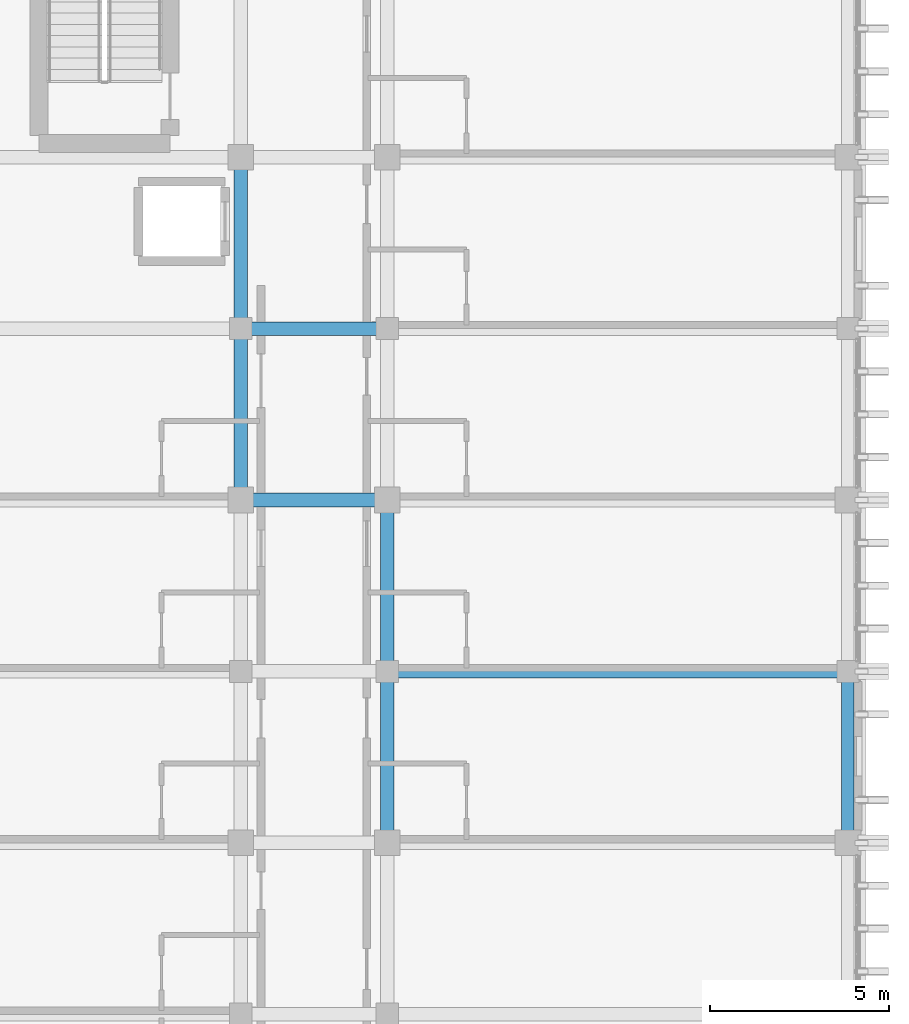
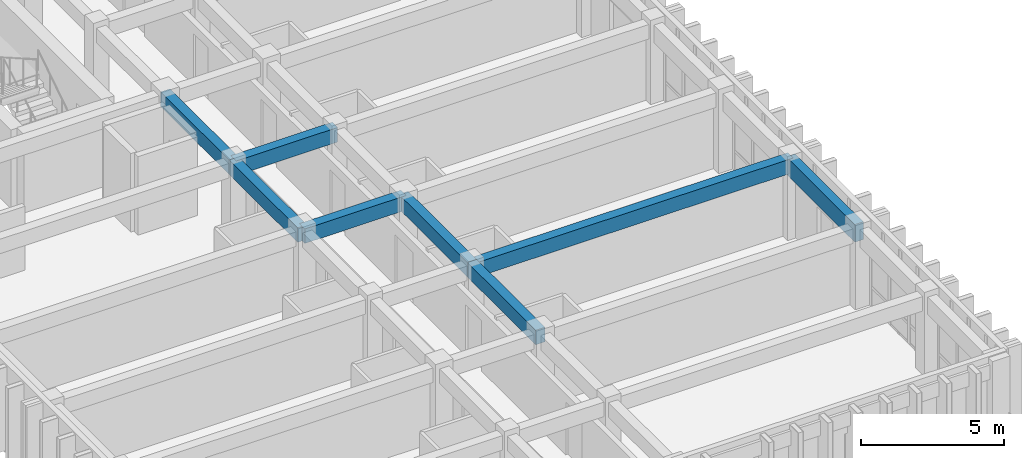
# One storey, part 13 of 59: 8 beams.
"""IFC4 building model written with IfcOpenShell, lengths in metres."""

from ifc_helpers import new_model, si_unit, direction, frame, origin, origin_2d, place, context, subcontext, project, spatial, rectangle, extrude, material, material_profile, profile_set, type_object, element, save


model = new_model("IFC4")

# Units and contexts
model_context = context("Model", 3, precision=1e-05, world=origin(), true_north=direction((0.0, 1.0)))
body_context = subcontext(model_context, "Body", "Model", "MODEL_VIEW")
ifc_project = project(units=[si_unit("LENGTHUNIT", "METRE"), si_unit("AREAUNIT", "SQUARE_METRE"), si_unit("VOLUMEUNIT", "CUBIC_METRE"), si_unit("PLANEANGLEUNIT", "RADIAN"), si_unit("MASSUNIT", "GRAM", prefix="KILO")], contexts=[model_context])

# Site, building, storey
site_placement = place(None, origin())
site = spatial("IfcSite", under=ifc_project, at=site_placement, CompositionType="ELEMENT")
building_placement = place(site_placement, origin())
building = spatial("IfcBuilding", under=site, at=building_placement, Name="Nakhvara Creek Congress Hotel", CompositionType="ELEMENT")
storey_placement = place(building_placement, frame((0.0, 0.0, 31.800048828125)))
storey = spatial("IfcBuildingStorey", under=building, at=storey_placement, Name="L07", CompositionType="ELEMENT", Elevation=31.800048828125)

# Beams
ifc_material = material(Name="Concrete C40/50", Category="concrete")
ifc_material_profile_1 = material_profile(ifc_material, rectangle(XDim=0.3798828125, YDim=0.6201171875, at=origin_2d()), Name="RC-BM 380x620", Category="LoadBearing")
ifc_profile_set_1 = profile_set([ifc_material_profile_1], Name="Concrete C40/50")
beam_type_1 = type_object("IfcBeamType", Name="BM-RC-380X620", PredefinedType="BEAM", material=ifc_profile_set_1)
beam_1_placement = place(storey_placement, frame((162.35009765625, 67.199951171875, 3.050048828125), z_axis=(1.0, 0.0, 0.0), x_axis=(0.0, 1.0, 0.0)))
element("IfcBeam", 1, at=beam_1_placement, inside=storey, type_object=beam_type_1, Name="Beam B10-L07-2346", PredefinedType="BEAM", context=body_context, shape_type="SweptSolid", body=[
    extrude(rectangle(XDim=0.3798828125, YDim=0.6201171875, at=origin_2d()), origin(), (0.0, 0.0, 1.0), 4.099853515625),
])
for number, where, z_axis, x_axis, name in (
    (2, (162.35009765625, 67.199951171875, 3.050048828125), (0.0, 1.0, 0.0), (-1.0, 0.0, 0.0), "Beam B10-L07-2348"),
    (3, (162.35009765625, 72.0, 3.050048828125), (0.0, 1.0, 0.0), (-1.0, 0.0, 0.0), "Beam B10-L07-2350"),
):
    element("IfcBeam", number, at=place(storey_placement, frame(where, z_axis=z_axis, x_axis=x_axis)), inside=storey, type_object=beam_type_1, Name=name, PredefinedType="BEAM", context=body_context, shape_type="SweptSolid", body=[
        extrude(rectangle(XDim=0.3798828125, YDim=0.6201171875, at=origin_2d()), origin(), (0.0, 0.0, 1.0), 4.800048828125),
    ])
beam_2_placement = place(storey_placement, frame((166.449951171875, 57.60009765625, 3.050048828125), z_axis=(0.0, 1.0, 0.0), x_axis=(-1.0, 0.0, 0.0)))
element("IfcBeam", 4, at=beam_2_placement, inside=storey, type_object=beam_type_1, Name="Beam B10-L07-2370", PredefinedType="BEAM", context=body_context, shape_type="SweptSolid", body=[
    extrude(rectangle(XDim=0.3798828125, YDim=0.6201171875, at=origin_2d()), origin(), (0.0, 0.0, 1.0), 4.7998046875),
])
beam_3_placement = place(storey_placement, frame((166.449951171875, 62.39990234375, 3.050048828125), z_axis=(0.0, 1.0, 0.0), x_axis=(-1.0, 0.0, 0.0)))
element("IfcBeam", 5, at=beam_3_placement, inside=storey, type_object=beam_type_1, Name="Beam B10-L07-2372", PredefinedType="BEAM", context=body_context, shape_type="SweptSolid", body=[
    extrude(rectangle(XDim=0.3798828125, YDim=0.6201171875, at=origin_2d()), origin(), (0.0, 0.0, 1.0), 4.800048828125),
])
beam_4_placement = place(storey_placement, frame((162.35009765625, 72.0, 3.050048828125), z_axis=(1.0, 0.0, 0.0), x_axis=(0.0, 1.0, 0.0)))
element("IfcBeam", 6, at=beam_4_placement, inside=storey, type_object=beam_type_1, Name="Beam B10-L07-2415", PredefinedType="BEAM", context=body_context, shape_type="SweptSolid", body=[
    extrude(rectangle(XDim=0.3798828125, YDim=0.6201171875, at=origin_2d()), origin(), (0.0, 0.0, 1.0), 4.099853515625),
])
beam_5_placement = place(storey_placement, frame((166.449951171875, 62.39990234375, 3.050048828125), z_axis=(1.0, 0.0, 0.0), x_axis=(0.0, 1.0, 0.0)))
element("IfcBeam", 7, at=beam_5_placement, inside=storey, type_object=beam_type_1, Name="Beam B10-L07-2422", PredefinedType="BEAM", context=body_context, shape_type="SweptSolid", body=[
    extrude(rectangle(XDim=0.3798828125, YDim=0.6201171875, at=origin_2d()), origin(), (0.0, 0.0, 1.0), 12.900146484375),
])
ifc_material_profile_2 = material_profile(ifc_material, rectangle(XDim=0.35009765625, YDim=0.75, at=origin_2d()), Name="RC-SPANDREL 350x750", Category="LoadBearing")
ifc_profile_set_2 = profile_set([ifc_material_profile_2], Name="Concrete C40/50")
beam_type_2 = type_object("IfcBeamType", Name="BM-SPN-350X750", PredefinedType="SPANDREL", material=ifc_profile_set_2)
beam_6_placement = place(storey_placement, frame((179.35009765625, 57.60009765625, 2.98486328125), z_axis=(0.0, 1.0, 0.0), x_axis=(-1.0, 0.0, 0.0)))
element("IfcBeam", 8, at=beam_6_placement, inside=storey, type_object=beam_type_2, Name="Beam SP1-L07-2393", PredefinedType="SPANDREL", context=body_context, shape_type="SweptSolid", body=[
    extrude(rectangle(XDim=0.35009765625, YDim=0.75, at=origin_2d()), origin(), (0.0, 0.0, 1.0), 4.7998046875),
])

save(model, "model.ifc")
